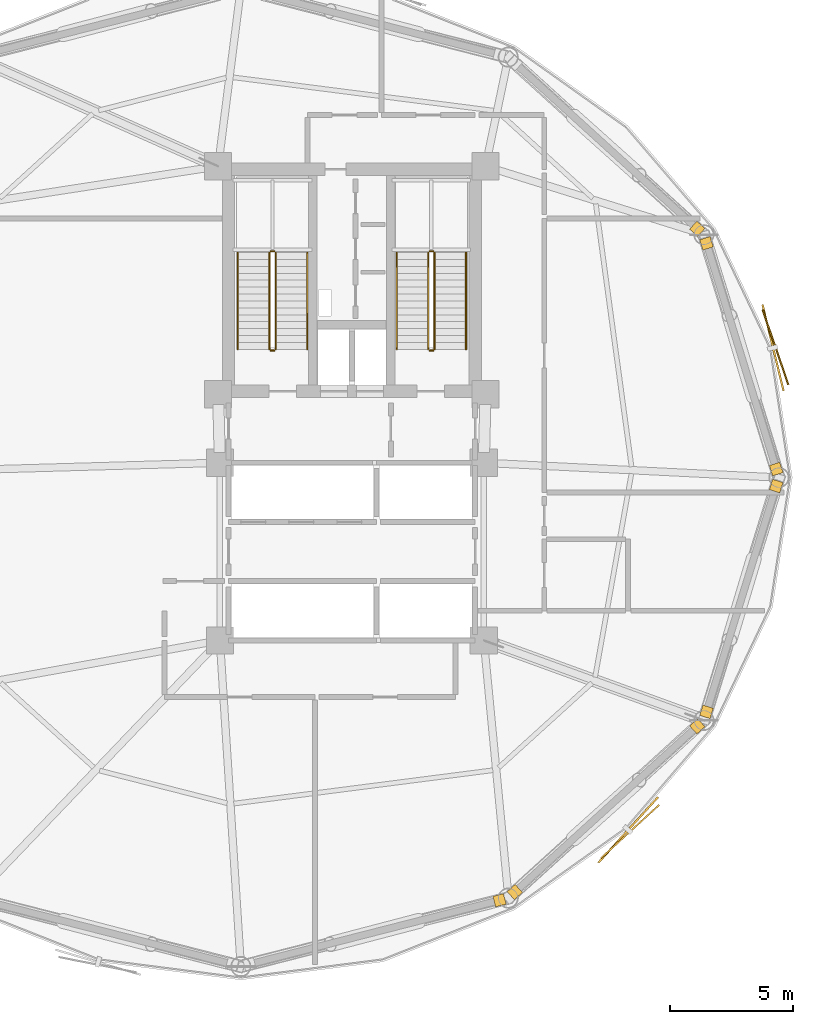
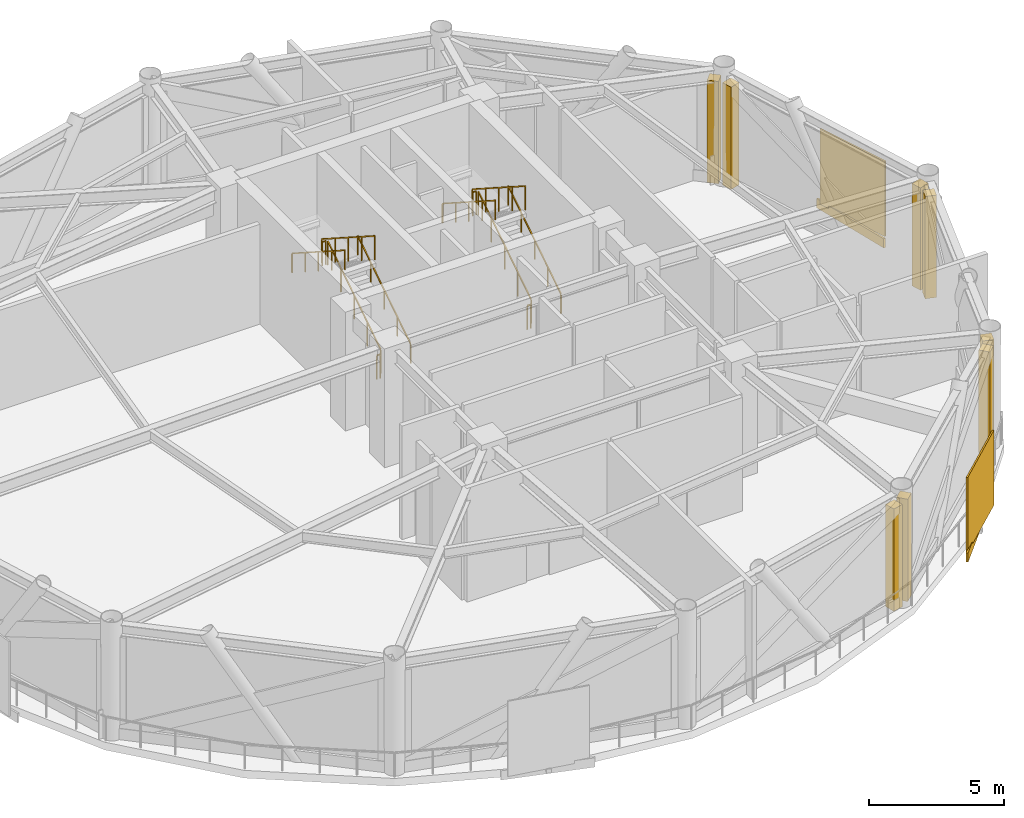
# One storey, part 7 of 8: 12 railings, 10 coverings, 2 shading devices.
"""IFC4 building model written with IfcOpenShell, lengths in metres."""

import ifcopenshell
import ifcopenshell.guid

model = None  # the IFC model being written
_history = None  # IfcOwnerHistory: only IFC2X3 demands one
_inside = {}  # id of a spatial element -> (the spatial element, [elements in it])
_under = {}  # id of a project, library or spatial element -> (it, [spatial elements below it])
_declared = {}  # id of a project -> (the project, [libraries it declares])
_typed = {}  # id of a type object -> (the type object, [elements of that type])
_made_of = {}  # id of a material, layer set ... -> (it, [elements and type objects made of it])


def new_model(schema):
    """Start an empty IFC model of exactly this schema.

    Asked for "IFC4X3", IfcOpenShell would pick the latest addendum, in which some entities
    have other attributes; the version numbers below select the first issue.
    IFC2X3 requires an IfcOwnerHistory on every rooted entity: one is made here for all.
    """
    global model, _history
    if schema == "IFC4X3":
        model = ifcopenshell.file(schema_version=(4, 3, 0, 0))
    else:
        model = ifcopenshell.file(schema=schema)
    _inside.clear()
    _under.clear()
    _declared.clear()
    _typed.clear()
    _made_of.clear()
    _history = None
    if model.schema == "IFC2X3":
        org = make("IfcOrganization", Name="unknown")
        user = make(
            "IfcPersonAndOrganization",
            ThePerson=make("IfcPerson", FamilyName="unknown"),
            TheOrganization=org,
        )
        app = make(
            "IfcApplication",
            ApplicationDeveloper=org,
            Version="unknown",
            ApplicationFullName="unknown",
            ApplicationIdentifier="unknown",
        )
        _history = make(
            "IfcOwnerHistory",
            OwningUser=user,
            OwningApplication=app,
            ChangeAction="ADDED",
            CreationDate=0,
        )
    return model


def make(cls, **values):
    """One entity of the class cls with the attributes given. An attribute that is None is left unset."""
    return model.create_entity(
        cls, **{name: value for name, value in values.items() if value is not None}
    )


def rooted(cls, **values):
    """An entity with a GlobalId (a new one), such as an element, a storey or a relation."""
    return make(cls, GlobalId=ifcopenshell.guid.new(), OwnerHistory=_history, **values)


def si_unit(unit_type, name, prefix=None):
    """IfcSIUnit, for example si_unit("LENGTHUNIT", "METRE", prefix="MILLI")."""
    return make("IfcSIUnit", UnitType=unit_type, Prefix=prefix, Name=name)


def assignment(units):
    """IfcUnitAssignment: the units of a project."""
    return None if units is None else make("IfcUnitAssignment", Units=units)


def point(xyz):
    """IfcCartesianPoint."""
    return None if xyz is None else make("IfcCartesianPoint", Coordinates=xyz)


def direction(xyz):
    """IfcDirection."""
    return None if xyz is None else make("IfcDirection", DirectionRatios=xyz)


def frame(location, z_axis=None, x_axis=None):
    """IfcAxis2Placement3D, a coordinate frame: its origin and axes. An axis left out is left unset."""
    return make(
        "IfcAxis2Placement3D",
        Location=point(location),
        Axis=direction(z_axis),
        RefDirection=direction(x_axis),
    )


def frame_2d(location, x_axis=None):
    """IfcAxis2Placement2D, a coordinate frame in the plane: its origin and x axis."""
    return make(
        "IfcAxis2Placement2D", Location=point(location), RefDirection=direction(x_axis)
    )


def origin():
    """The frame at (0, 0, 0) with its axes left unset."""
    return frame((0.0, 0.0, 0.0))


def origin_2d():
    """The frame at (0, 0) in the plane with its x axis left unset."""
    return frame_2d((0.0, 0.0))


def place(relative_to, where):
    """IfcLocalPlacement: puts the frame where relative to a parent placement (None: the world)."""
    return make(
        "IfcLocalPlacement", PlacementRelTo=relative_to, RelativePlacement=where
    )


def context(
    kind, dimensions, precision=None, world=None, true_north=None, identifier=None
):
    """IfcGeometricRepresentationContext, for example the 3D "Model" context."""
    return make(
        "IfcGeometricRepresentationContext",
        ContextIdentifier=identifier,
        ContextType=kind,
        CoordinateSpaceDimension=dimensions,
        Precision=precision,
        WorldCoordinateSystem=world,
        TrueNorth=true_north,
    )


def subcontext(parent, identifier, kind, view, scale=None):
    """IfcGeometricRepresentationSubContext, for example "Body" below "Model"."""
    return make(
        "IfcGeometricRepresentationSubContext",
        ContextIdentifier=identifier,
        ContextType=kind,
        ParentContext=parent,
        TargetScale=scale,
        TargetView=view,
    )


def project(units=None, contexts=None):
    """IfcProject with its units and contexts."""
    return rooted(
        "IfcProject",
        Name="project",
        RepresentationContexts=contexts,
        UnitsInContext=assignment(units),
    )


def spatial(cls, under=None, at=None, **own):
    """A site, building, storey or space (cls), placed at a placement, below another one or the project."""
    s = rooted(cls, ObjectPlacement=at, **own)
    if under is not None:
        _under.setdefault(under.id(), (under, []))[1].append(s)
    return s


def profile(cls, at=None, kind="AREA", **sizes):
    """A parametric profile (cls). Its sizes go by their IFC names, for example OverallWidth=200.0."""
    return make(cls, ProfileType=kind, Position=at, **sizes)


def rectangle(**sizes):
    """IfcRectangleProfileDef."""
    return profile("IfcRectangleProfileDef", **sizes)


def extrude(swept, where, along, depth):
    """IfcExtrudedAreaSolid: the profile swept, set in the frame where, extruded along a direction by depth."""
    return make(
        "IfcExtrudedAreaSolid",
        SweptArea=swept,
        Position=where,
        ExtrudedDirection=direction(along),
        Depth=depth,
    )


def shape(context_of_items, identifier, shape_type, items):
    """IfcShapeRepresentation: the items that make up one representation, for example the "Body"."""
    return make(
        "IfcShapeRepresentation",
        ContextOfItems=context_of_items,
        RepresentationIdentifier=identifier,
        RepresentationType=shape_type,
        Items=items,
    )


def source(mapping_origin, context_of_items, identifier, shape_type, items):
    """IfcRepresentationMap: a shape defined once, which mapped items show again and again."""
    return make(
        "IfcRepresentationMap",
        MappingOrigin=mapping_origin,
        MappedRepresentation=shape(context_of_items, identifier, shape_type, items),
    )


def transform(
    local_origin,
    x_axis=None,
    y_axis=None,
    z_axis=None,
    scale=None,
    scale2=None,
    scale3=None,
    uniform=True,
):
    """IfcCartesianTransformationOperator3D, or its non-uniform kind. x_axis, y_axis, z_axis: its Axis1, 2, 3."""
    if uniform:
        return make(
            "IfcCartesianTransformationOperator3D",
            Axis1=direction(x_axis),
            Axis2=direction(y_axis),
            LocalOrigin=point(local_origin),
            Scale=scale,
            Axis3=direction(z_axis),
        )
    return make(
        "IfcCartesianTransformationOperator3DnonUniform",
        Axis1=direction(x_axis),
        Axis2=direction(y_axis),
        LocalOrigin=point(local_origin),
        Scale=scale,
        Axis3=direction(z_axis),
        Scale2=scale2,
        Scale3=scale3,
    )


def mapped(mapping_source, mapping_target):
    """IfcMappedItem: shows the shape of a source again, moved by a transform."""
    return make(
        "IfcMappedItem", MappingSource=mapping_source, MappingTarget=mapping_target
    )


def material(Name=None, Category=None):
    """IfcMaterial."""
    return make("IfcMaterial", Name=Name, Category=Category)


def layer(
    of_material, thickness, ventilated=None, Name=None, Category=None, Priority=None
):
    """IfcMaterialLayer: one layer of a wall or slab, of a material (None: an air gap)."""
    return make(
        "IfcMaterialLayer",
        Material=of_material,
        LayerThickness=thickness,
        IsVentilated=ventilated,
        Name=Name,
        Category=Category,
        Priority=Priority,
    )


def layer_set(layers, Name=None):
    """IfcMaterialLayerSet."""
    return make("IfcMaterialLayerSet", MaterialLayers=layers, LayerSetName=Name)


def made_of(thing, what):
    """Note that an element or type object is made of a material, layer set ...; save() writes the relation."""
    if what is not None:
        _made_of.setdefault(what.id(), (what, []))[1].append(thing)
    return thing


def type_object(cls, material=None, **own):
    """A type object (cls), such as IfcWallType, which elements share."""
    return made_of(rooted(cls, **own), material)


def type_shapes(of_type, sources):
    """Give a type object the sources (RepresentationMaps) that its elements show as mapped items."""
    of_type.RepresentationMaps = sources


def element(
    cls,
    number,
    at=None,
    inside=None,
    cuts=None,
    type_object=None,
    material=None,
    context=None,
    identifier="Body",
    shape_type=None,
    held_by="IfcProductDefinitionShape",
    body=None,
    shapes=None,
    **own,
):
    """One element of the class cls, such as IfcWall. Its Tag is "e" and its number.

    at: its placement. inside: the storey or other place that contains it. cuts: it is an
    opening in that element (IfcRelVoidsElement). A single representation is given by context,
    identifier, shape_type and body (its items); several are given by shapes. held_by: the class
    of the entity that holds the representations. save() writes the other relations.
    """
    e = rooted(cls, Tag="e%d" % number, ObjectPlacement=at, **own)
    if body is not None:
        shapes = [shape(context, identifier, shape_type, body)]
    if shapes is not None:
        e.Representation = make(held_by, Representations=shapes)
    if inside is not None:
        _inside.setdefault(inside.id(), (inside, []))[1].append(e)
    if cuts is not None:
        rooted(
            "IfcRelVoidsElement", RelatingBuildingElement=cuts, RelatedOpeningElement=e
        )
    if type_object is not None:
        _typed.setdefault(type_object.id(), (type_object, []))[1].append(e)
    return made_of(e, material)


def aggregate(whole, parts):
    """IfcRelAggregates: a whole, such as a stair, and the parts it consists of."""
    return rooted("IfcRelAggregates", RelatingObject=whole, RelatedObjects=parts)


def save(model, path):
    """Write the relations noted so far, then the file.

    IfcRelAggregates (storeys below a building ...), IfcRelContainedInSpatialStructure (elements
    in a storey), IfcRelDefinesByType, IfcRelAssociatesMaterial and IfcRelDeclares: one each for
    every whole, place, type object, material and project.
    """
    for whole, parts in _under.values():
        aggregate(whole, parts)
    for where, things in _inside.values():
        rooted(
            "IfcRelContainedInSpatialStructure",
            RelatedElements=things,
            RelatingStructure=where,
        )
    for kind, things in _typed.values():
        rooted("IfcRelDefinesByType", RelatedObjects=things, RelatingType=kind)
    for what, things in _made_of.values():
        rooted("IfcRelAssociatesMaterial", RelatedObjects=things, RelatingMaterial=what)
    for by, libraries in _declared.values():
        rooted("IfcRelDeclares", RelatingContext=by, RelatedDefinitions=libraries)
    model.write(path)


model = new_model("IFC4")

# Units and contexts
model_context = context("Model", 3, precision=1e-05, world=origin(), true_north=direction((0.0, 1.0)))
body_context = subcontext(model_context, "Body", "Model", "MODEL_VIEW")
ifc_project = project(units=[si_unit("LENGTHUNIT", "METRE"), si_unit("AREAUNIT", "SQUARE_METRE"), si_unit("VOLUMEUNIT", "CUBIC_METRE"), si_unit("PLANEANGLEUNIT", "RADIAN"), si_unit("MASSUNIT", "GRAM", prefix="KILO")], contexts=[model_context])

# Site, building, storey
site_placement = place(None, origin())
site = spatial("IfcSite", under=ifc_project, at=site_placement, CompositionType="ELEMENT")
building_placement = place(site_placement, origin())
building = spatial("IfcBuilding", under=site, at=building_placement, Name="Varnakorn Sky Granary", CompositionType="ELEMENT")
storey_placement = place(building_placement, frame((0.0, 0.0, 78.300048828125)))
storey = spatial("IfcBuildingStorey", under=building, at=storey_placement, Name="L19", CompositionType="ELEMENT", Elevation=78.300048828125)

# Railings
ifc_material_1 = material(Name="Brushed Stainless Steel 316", Category="steel")
railing_type_1 = type_object("IfcRailingType", Name="RL-STAIR-1100", PredefinedType="GUARDRAIL", material=ifc_material_1)
railing_1_placement = place(storey_placement, frame((-0.090087890625, 5.199951171875, 0.179931640625)))
element("IfcRailing", 1, at=railing_1_placement, inside=storey, type_object=railing_type_1, Name="L19 ST-1 stair guard 1", PredefinedType="GUARDRAIL", context=body_context, shape_type="SweptSolid", body=[
    extrude(rectangle(XDim=0.048095703125, YDim=0.048095703125, at=origin_2d()), frame((0.0, 0.0, 1.076171875), z_axis=(0.0, 0.841186985886, 0.540744352514), x_axis=(-1.0, 0.0, 0.0)), (0.0, 0.0, 1.0), 4.660400390625),
    extrude(rectangle(XDim=0.0419921875, YDim=0.0419921875, at=origin_2d()), origin(), (0.0, 0.0, 1.0), 1.048095703125),
    extrude(rectangle(XDim=0.0419921875, YDim=0.0419921875, at=origin_2d()), frame((0.0, 0.97998046875, 0.6298828125)), (0.0, 0.0, 1.0), 1.048095703125),
    extrude(rectangle(XDim=0.0419921875, YDim=0.0419921875, at=origin_2d()), frame((0.0, 1.9599609375, 1.260009765625)), (0.0, 0.0, 1.0), 1.048095703125),
    extrude(rectangle(XDim=0.0419921875, YDim=0.0419921875, at=origin_2d()), frame((0.0, 2.940185546875, 1.89013671875)), (0.0, 0.0, 1.0), 1.048095703125),
    extrude(rectangle(XDim=0.0419921875, YDim=0.0419921875, at=origin_2d()), frame((0.0, 3.920166015625, 2.52001953125)), (0.0, 0.0, 1.0), 1.048095703125),
])
railing_2_placement = place(storey_placement, frame((-0.139892578125, 9.169921875, 2.699951171875)))
element("IfcRailing", 2, at=railing_2_placement, inside=storey, type_object=railing_type_1, Name="L19 ST-1 stair guard 2", PredefinedType="GUARDRAIL", context=body_context, shape_type="SweptSolid", body=[
    extrude(rectangle(XDim=0.048095703125, YDim=0.048095703125, at=origin_2d()), frame((0.0, 0.0, 1.076171875), z_axis=(-1.0, 0.0, 0.0), x_axis=(0.0, -1.0, 0.0)), (0.0, 0.0, 1.0), 0.150146484375),
    extrude(rectangle(XDim=0.0419921875, YDim=0.0419921875, at=origin_2d()), origin(), (0.0, 0.0, 1.0), 1.048095703125),
    extrude(rectangle(XDim=0.0419921875, YDim=0.0419921875, at=origin_2d()), frame((-0.150146484375, 0.0, 0.0)), (0.0, 0.0, 1.0), 1.048095703125),
])
railing_3_placement = place(storey_placement, frame((-0.340087890625, 9.1201171875, 2.8798828125)))
element("IfcRailing", 3, at=railing_3_placement, inside=storey, type_object=railing_type_1, Name="L19 ST-1 stair guard 3", PredefinedType="GUARDRAIL", context=body_context, shape_type="SweptSolid", body=[
    extrude(rectangle(XDim=0.048095703125, YDim=0.048095703125, at=origin_2d()), frame((0.0, 0.0, 1.076171875), z_axis=(0.0, -0.841186985886, 0.540744352514), x_axis=(1.0, 0.0, 0.0)), (0.0, 0.0, 1.0), 4.660400390625),
    extrude(rectangle(XDim=0.0419921875, YDim=0.0419921875, at=origin_2d()), origin(), (0.0, 0.0, 1.0), 1.048095703125),
    extrude(rectangle(XDim=0.0419921875, YDim=0.0419921875, at=origin_2d()), frame((0.0, -0.97998046875, 0.6298828125)), (0.0, 0.0, 1.0), 1.048095703125),
    extrude(rectangle(XDim=0.0419921875, YDim=0.0419921875, at=origin_2d()), frame((0.0, -1.9599609375, 1.260009765625)), (0.0, 0.0, 1.0), 1.048095703125),
    extrude(rectangle(XDim=0.0419921875, YDim=0.0419921875, at=origin_2d()), frame((0.0, -2.940185546875, 1.89013671875)), (0.0, 0.0, 1.0), 1.048095703125),
    extrude(rectangle(XDim=0.0419921875, YDim=0.0419921875, at=origin_2d()), frame((0.0, -3.920166015625, 2.52001953125)), (0.0, 0.0, 1.0), 1.048095703125),
])
railing_4_placement = place(storey_placement, frame((-0.139892578125, 5.14990234375, 0.0)))
element("IfcRailing", 4, at=railing_4_placement, inside=storey, type_object=railing_type_1, Name="L19 ST-1 stair guard 4", PredefinedType="GUARDRAIL", context=body_context, shape_type="SweptSolid", body=[
    extrude(rectangle(XDim=0.048095703125, YDim=0.048095703125, at=origin_2d()), frame((0.0, 0.0, 1.076171875), z_axis=(-1.0, 0.0, 0.0), x_axis=(0.0, -1.0, 0.0)), (0.0, 0.0, 1.0), 0.150146484375),
    extrude(rectangle(XDim=0.0419921875, YDim=0.0419921875, at=origin_2d()), origin(), (0.0, 0.0, 1.0), 1.048095703125),
    extrude(rectangle(XDim=0.0419921875, YDim=0.0419921875, at=origin_2d()), frame((-0.150146484375, 0.0, 0.0)), (0.0, 0.0, 1.0), 1.048095703125),
])
railing_5_placement = place(storey_placement, frame((6.35009765625, 5.199951171875, 0.179931640625)))
element("IfcRailing", 5, at=railing_5_placement, inside=storey, type_object=railing_type_1, Name="L19 ST-2 stair guard 1", PredefinedType="GUARDRAIL", context=body_context, shape_type="SweptSolid", body=[
    extrude(rectangle(XDim=0.048095703125, YDim=0.048095703125, at=origin_2d()), frame((0.0, 0.0, 1.076171875), z_axis=(0.0, 0.841186985886, 0.540744352514), x_axis=(-1.0, 0.0, 0.0)), (0.0, 0.0, 1.0), 4.660400390625),
    extrude(rectangle(XDim=0.0419921875, YDim=0.0419921875, at=origin_2d()), origin(), (0.0, 0.0, 1.0), 1.048095703125),
    extrude(rectangle(XDim=0.0419921875, YDim=0.0419921875, at=origin_2d()), frame((0.0, 0.97998046875, 0.6298828125)), (0.0, 0.0, 1.0), 1.048095703125),
    extrude(rectangle(XDim=0.0419921875, YDim=0.0419921875, at=origin_2d()), frame((0.0, 1.9599609375, 1.260009765625)), (0.0, 0.0, 1.0), 1.048095703125),
    extrude(rectangle(XDim=0.0419921875, YDim=0.0419921875, at=origin_2d()), frame((0.0, 2.940185546875, 1.89013671875)), (0.0, 0.0, 1.0), 1.048095703125),
    extrude(rectangle(XDim=0.0419921875, YDim=0.0419921875, at=origin_2d()), frame((0.0, 3.920166015625, 2.52001953125)), (0.0, 0.0, 1.0), 1.048095703125),
])
railing_6_placement = place(storey_placement, frame((6.300048828125, 9.169921875, 2.699951171875)))
element("IfcRailing", 6, at=railing_6_placement, inside=storey, type_object=railing_type_1, Name="L19 ST-2 stair guard 2", PredefinedType="GUARDRAIL", context=body_context, shape_type="SweptSolid", body=[
    extrude(rectangle(XDim=0.048095703125, YDim=0.048095703125, at=origin_2d()), frame((0.0, 0.0, 1.076171875), z_axis=(-1.0, 0.0, 0.0), x_axis=(0.0, -1.0, 0.0)), (0.0, 0.0, 1.0), 0.150146484375),
    extrude(rectangle(XDim=0.0419921875, YDim=0.0419921875, at=origin_2d()), origin(), (0.0, 0.0, 1.0), 1.048095703125),
    extrude(rectangle(XDim=0.0419921875, YDim=0.0419921875, at=origin_2d()), frame((-0.150146484375, 0.0, 0.0)), (0.0, 0.0, 1.0), 1.048095703125),
])
railing_7_placement = place(storey_placement, frame((6.10009765625, 9.1201171875, 2.8798828125)))
element("IfcRailing", 7, at=railing_7_placement, inside=storey, type_object=railing_type_1, Name="L19 ST-2 stair guard 3", PredefinedType="GUARDRAIL", context=body_context, shape_type="SweptSolid", body=[
    extrude(rectangle(XDim=0.048095703125, YDim=0.048095703125, at=origin_2d()), frame((0.0, 0.0, 1.076171875), z_axis=(0.0, -0.841186985886, 0.540744352514), x_axis=(1.0, 0.0, 0.0)), (0.0, 0.0, 1.0), 4.660400390625),
    extrude(rectangle(XDim=0.0419921875, YDim=0.0419921875, at=origin_2d()), origin(), (0.0, 0.0, 1.0), 1.048095703125),
    extrude(rectangle(XDim=0.0419921875, YDim=0.0419921875, at=origin_2d()), frame((0.0, -0.97998046875, 0.6298828125)), (0.0, 0.0, 1.0), 1.048095703125),
    extrude(rectangle(XDim=0.0419921875, YDim=0.0419921875, at=origin_2d()), frame((0.0, -1.9599609375, 1.260009765625)), (0.0, 0.0, 1.0), 1.048095703125),
    extrude(rectangle(XDim=0.0419921875, YDim=0.0419921875, at=origin_2d()), frame((0.0, -2.940185546875, 1.89013671875)), (0.0, 0.0, 1.0), 1.048095703125),
    extrude(rectangle(XDim=0.0419921875, YDim=0.0419921875, at=origin_2d()), frame((0.0, -3.920166015625, 2.52001953125)), (0.0, 0.0, 1.0), 1.048095703125),
])
railing_8_placement = place(storey_placement, frame((6.300048828125, 5.14990234375, 0.0)))
element("IfcRailing", 8, at=railing_8_placement, inside=storey, type_object=railing_type_1, Name="L19 ST-2 stair guard 4", PredefinedType="GUARDRAIL", context=body_context, shape_type="SweptSolid", body=[
    extrude(rectangle(XDim=0.048095703125, YDim=0.048095703125, at=origin_2d()), frame((0.0, 0.0, 1.076171875), z_axis=(-1.0, 0.0, 0.0), x_axis=(0.0, -1.0, 0.0)), (0.0, 0.0, 1.0), 0.150146484375),
    extrude(rectangle(XDim=0.0419921875, YDim=0.0419921875, at=origin_2d()), origin(), (0.0, 0.0, 1.0), 1.048095703125),
    extrude(rectangle(XDim=0.0419921875, YDim=0.0419921875, at=origin_2d()), frame((-0.150146484375, 0.0, 0.0)), (0.0, 0.0, 1.0), 1.048095703125),
])
railing_type_2 = type_object("IfcRailingType", Name="RL-STAIR-920", PredefinedType="HANDRAIL", material=ifc_material_1)
railing_9_placement = place(storey_placement, frame((1.18994140625, 5.199951171875, 0.179931640625)))
element("IfcRailing", 9, at=railing_9_placement, inside=storey, type_object=railing_type_2, Name="L19 ST-1 stair handrail 1", PredefinedType="HANDRAIL", context=body_context, shape_type="SweptSolid", body=[
    extrude(rectangle(XDim=0.048095703125, YDim=0.048095703125, at=origin_2d()), frame((0.0, 0.0, 0.8759765625), z_axis=(0.0, 0.841186985886, 0.540744352514), x_axis=(-1.0, 0.0, 0.0)), (0.0, 0.0, 1.0), 4.660400390625),
    extrude(rectangle(XDim=0.0419921875, YDim=0.0419921875, at=origin_2d()), origin(), (0.0, 0.0, 1.0), 0.847900390625),
    extrude(rectangle(XDim=0.0419921875, YDim=0.0419921875, at=origin_2d()), frame((0.0, 0.97998046875, 0.6298828125)), (0.0, 0.0, 1.0), 0.847900390625),
    extrude(rectangle(XDim=0.0419921875, YDim=0.0419921875, at=origin_2d()), frame((0.0, 1.9599609375, 1.260009765625)), (0.0, 0.0, 1.0), 0.847900390625),
    extrude(rectangle(XDim=0.0419921875, YDim=0.0419921875, at=origin_2d()), frame((0.0, 2.940185546875, 1.89013671875)), (0.0, 0.0, 1.0), 0.847900390625),
    extrude(rectangle(XDim=0.0419921875, YDim=0.0419921875, at=origin_2d()), frame((0.0, 3.920166015625, 2.52001953125)), (0.0, 0.0, 1.0), 0.847900390625),
])
railing_10_placement = place(storey_placement, frame((-1.6201171875, 9.1201171875, 2.8798828125)))
element("IfcRailing", 10, at=railing_10_placement, inside=storey, type_object=railing_type_2, Name="L19 ST-1 stair handrail 2", PredefinedType="HANDRAIL", context=body_context, shape_type="SweptSolid", body=[
    extrude(rectangle(XDim=0.048095703125, YDim=0.048095703125, at=origin_2d()), frame((0.0, 0.0, 0.8759765625), z_axis=(0.0, -0.841186985886, 0.540744352514), x_axis=(1.0, 0.0, 0.0)), (0.0, 0.0, 1.0), 4.660400390625),
    extrude(rectangle(XDim=0.0419921875, YDim=0.0419921875, at=origin_2d()), origin(), (0.0, 0.0, 1.0), 0.847900390625),
    extrude(rectangle(XDim=0.0419921875, YDim=0.0419921875, at=origin_2d()), frame((0.0, -0.97998046875, 0.6298828125)), (0.0, 0.0, 1.0), 0.847900390625),
    extrude(rectangle(XDim=0.0419921875, YDim=0.0419921875, at=origin_2d()), frame((0.0, -1.9599609375, 1.260009765625)), (0.0, 0.0, 1.0), 0.847900390625),
    extrude(rectangle(XDim=0.0419921875, YDim=0.0419921875, at=origin_2d()), frame((0.0, -2.940185546875, 1.89013671875)), (0.0, 0.0, 1.0), 0.847900390625),
    extrude(rectangle(XDim=0.0419921875, YDim=0.0419921875, at=origin_2d()), frame((0.0, -3.920166015625, 2.52001953125)), (0.0, 0.0, 1.0), 0.847900390625),
])
railing_11_placement = place(storey_placement, frame((7.6298828125, 5.199951171875, 0.179931640625)))
element("IfcRailing", 11, at=railing_11_placement, inside=storey, type_object=railing_type_2, Name="L19 ST-2 stair handrail 1", PredefinedType="HANDRAIL", context=body_context, shape_type="SweptSolid", body=[
    extrude(rectangle(XDim=0.048095703125, YDim=0.048095703125, at=origin_2d()), frame((0.0, 0.0, 0.8759765625), z_axis=(0.0, 0.841186985886, 0.540744352514), x_axis=(-1.0, 0.0, 0.0)), (0.0, 0.0, 1.0), 4.660400390625),
    extrude(rectangle(XDim=0.0419921875, YDim=0.0419921875, at=origin_2d()), origin(), (0.0, 0.0, 1.0), 0.847900390625),
    extrude(rectangle(XDim=0.0419921875, YDim=0.0419921875, at=origin_2d()), frame((0.0, 0.97998046875, 0.6298828125)), (0.0, 0.0, 1.0), 0.847900390625),
    extrude(rectangle(XDim=0.0419921875, YDim=0.0419921875, at=origin_2d()), frame((0.0, 1.9599609375, 1.260009765625)), (0.0, 0.0, 1.0), 0.847900390625),
    extrude(rectangle(XDim=0.0419921875, YDim=0.0419921875, at=origin_2d()), frame((0.0, 2.940185546875, 1.89013671875)), (0.0, 0.0, 1.0), 0.847900390625),
    extrude(rectangle(XDim=0.0419921875, YDim=0.0419921875, at=origin_2d()), frame((0.0, 3.920166015625, 2.52001953125)), (0.0, 0.0, 1.0), 0.847900390625),
])
railing_12_placement = place(storey_placement, frame((4.820068359375, 9.1201171875, 2.8798828125)))
element("IfcRailing", 12, at=railing_12_placement, inside=storey, type_object=railing_type_2, Name="L19 ST-2 stair handrail 2", PredefinedType="HANDRAIL", context=body_context, shape_type="SweptSolid", body=[
    extrude(rectangle(XDim=0.048095703125, YDim=0.048095703125, at=origin_2d()), frame((0.0, 0.0, 0.8759765625), z_axis=(0.0, -0.841186985886, 0.540744352514), x_axis=(1.0, 0.0, 0.0)), (0.0, 0.0, 1.0), 4.660400390625),
    extrude(rectangle(XDim=0.0419921875, YDim=0.0419921875, at=origin_2d()), origin(), (0.0, 0.0, 1.0), 0.847900390625),
    extrude(rectangle(XDim=0.0419921875, YDim=0.0419921875, at=origin_2d()), frame((0.0, -0.97998046875, 0.6298828125)), (0.0, 0.0, 1.0), 0.847900390625),
    extrude(rectangle(XDim=0.0419921875, YDim=0.0419921875, at=origin_2d()), frame((0.0, -1.9599609375, 1.260009765625)), (0.0, 0.0, 1.0), 0.847900390625),
    extrude(rectangle(XDim=0.0419921875, YDim=0.0419921875, at=origin_2d()), frame((0.0, -2.940185546875, 1.89013671875)), (0.0, 0.0, 1.0), 0.847900390625),
    extrude(rectangle(XDim=0.0419921875, YDim=0.0419921875, at=origin_2d()), frame((0.0, -3.920166015625, 2.52001953125)), (0.0, 0.0, 1.0), 0.847900390625),
])

# Shading devices
ifc_material_2 = material(Name="Anodised Bronze Aluminium Alloy 6063-T6", Category="aluminium")
shading_device_type = type_object("IfcShadingDeviceType", Name="SH-SCR-01", PredefinedType="USERDEFINED", material=ifc_material_2)
shared_shape_1 = source(origin(), body_context, "Body", "SweptSolid", [
    extrude(rectangle(XDim=3.199951171875, YDim=0.06494140625, at=origin_2d()), origin(), (0.0, 0.0, 1.0), 3.39990234375),
])
type_shapes(shading_device_type, [shared_shape_1])
for number, where, z_axis, x_axis, name in (
    (13, (20.1728515625, 5.2861328125, -0.0400390625), (0.0, 0.0, 1.0), (-0.324858018513, 0.945762796798, 0.0), "Perforated Bronze Solar Screen Panel SCREEN L19-01"),
    (14, (14.277099609375, -14.352294921875, -0.0400390625), (0.0, 0.0, 1.0), (0.737782510226, 0.675038493425, 0.0), "Perforated Bronze Solar Screen Panel SCREEN L19-11"),
):
    element("IfcShadingDevice", number, at=place(storey_placement, frame(where, z_axis=z_axis, x_axis=x_axis)), inside=storey, type_object=shading_device_type, Name=name, ObjectType="SCREEN", PredefinedType="USERDEFINED", context=body_context, shape_type="MappedRepresentation", body=[
        mapped(shared_shape_1, transform((0.0, 0.0, 0.0), x_axis=(1.0, 0.0, 0.0), y_axis=(0.0, 1.0, 0.0), z_axis=(0.0, 0.0, 1.0), scale=1.0)),
    ])

# Coverings
ifc_layer = layer(ifc_material_2, 0.050048828125, Name="Anodised Bronze Aluminium Alloy 6063-T6")
ifc_layer_set = layer_set([ifc_layer], Name="Anodised Bronze Aluminium Alloy 6063-T6")
covering_type = type_object("IfcCoveringType", Name="CV-CLAD-50", PredefinedType="CLADDING", material=ifc_layer_set)
shared_shape_2 = source(origin(), body_context, "Body", "SweptSolid", [
    extrude(rectangle(XDim=0.43994140625, YDim=0.43994140625, at=origin_2d()), origin(), (0.0, 0.0, 1.0), 4.6298828125),
])
for number, where, z_axis, x_axis, name in (
    (15, (17.378662109375, 9.49658203125, -0.02001953125), (0.0, 0.0, 1.0), (0.295041067928, -0.955484572474, 0.0), "Bronze Corner Pilaster Closure L19-P01-A"),
    (16, (20.204345703125, 0.345458984375, -0.02001953125), (0.0, 0.0, 1.0), (0.295041067928, -0.955484572474, 0.0), "Bronze Corner Pilaster Closure L19-P01-B"),
    (17, (17.00439453125, 10.0849609375, -0.02001953125), (0.0, 0.0, 1.0), (0.740335466358, -0.67223760476, 0.0), "Bronze Corner Pilaster Closure L19-P02-B"),
    (18, (8.98779296875, -17.136474609375, -0.02001953125), (0.0, 0.0, 1.0), (-0.968799815159, -0.247844544316, 0.0), "Bronze Corner Pilaster Closure L19-P10-A"),
    (19, (17.00439453125, -10.0849609375, -0.02001953125), (0.0, 0.0, 1.0), (-0.740335466358, -0.67223760476, 0.0), "Bronze Corner Pilaster Closure L19-P11-A"),
    (20, (9.605712890625, -16.8037109375, -0.02001953125), (0.0, 0.0, 1.0), (-0.740335466358, -0.67223760476, 0.0), "Bronze Corner Pilaster Closure L19-P11-B"),
    (21, (20.204345703125, -0.345458984375, -0.02001953125), (0.0, 0.0, 1.0), (-0.295041067928, -0.955484572474, 0.0), "Bronze Corner Pilaster Closure L19-P12-A"),
    (22, (17.378662109375, -9.49658203125, -0.02001953125), (0.0, 0.0, 1.0), (-0.295041067928, -0.955484572474, 0.0), "Bronze Corner Pilaster Closure L19-P12-B"),
):
    element("IfcCovering", number, at=place(storey_placement, frame(where, z_axis=z_axis, x_axis=x_axis)), inside=storey, type_object=covering_type, Name=name, PredefinedType="CLADDING", context=body_context, shape_type="MappedRepresentation", body=[
        mapped(shared_shape_2, transform((0.0, 0.0, 0.0), x_axis=(1.0, 0.0, 0.0), y_axis=(0.0, 1.0, 0.0), z_axis=(0.0, 0.0, 1.0), scale=1.0)),
    ])
shared_shape_3 = source(origin(), body_context, "Body", "SweptSolid", [
    extrude(rectangle(XDim=3.60009765625, YDim=0.080078125, at=origin_2d()), origin(), (0.0, 0.0, 1.0), 0.419921875),
])
type_shapes(covering_type, [shared_shape_2, shared_shape_3])
for number, where, z_axis, x_axis, name in (
    (23, (20.07568359375, 5.262451171875, -0.330078125), (0.0, 0.0, 1.0), (-0.236956388819, 0.971520287898, 0.0), "Bronze Slab-Edge Spandrel Cladding L19-01"),
    (24, (14.203125, -14.28515625, -0.330078125), (0.0, 0.0, 1.0), (0.672920344353, 0.739714951962, 0.0), "Bronze Slab-Edge Spandrel Cladding L19-11"),
):
    element("IfcCovering", number, at=place(storey_placement, frame(where, z_axis=z_axis, x_axis=x_axis)), inside=storey, type_object=covering_type, Name=name, PredefinedType="CLADDING", context=body_context, shape_type="MappedRepresentation", body=[
        mapped(shared_shape_3, transform((0.0, 0.0, 0.0), x_axis=(1.0, 0.0, 0.0), y_axis=(0.0, 1.0, 0.0), z_axis=(0.0, 0.0, 1.0), scale=1.0)),
    ])

save(model, "model.ifc")
